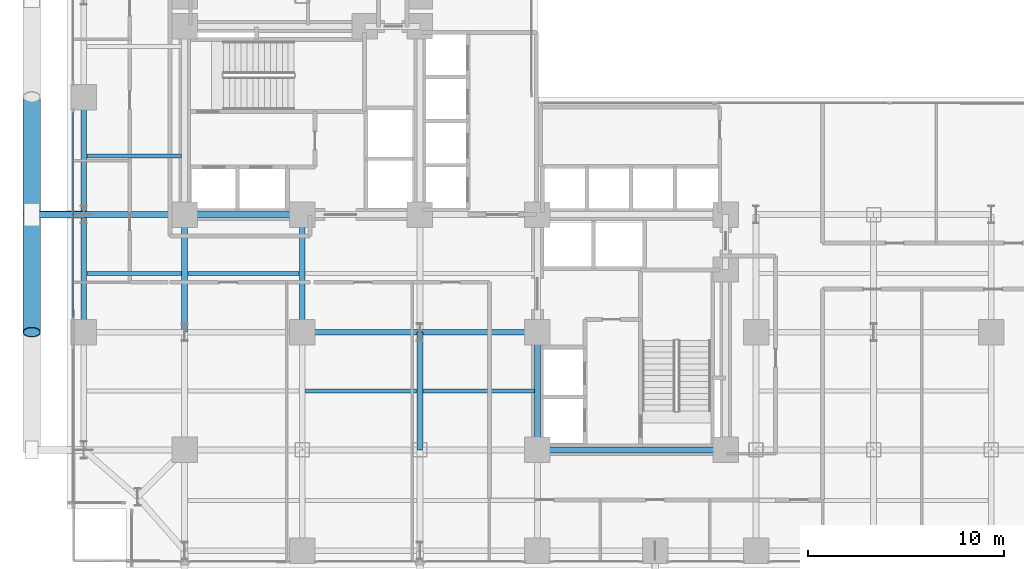
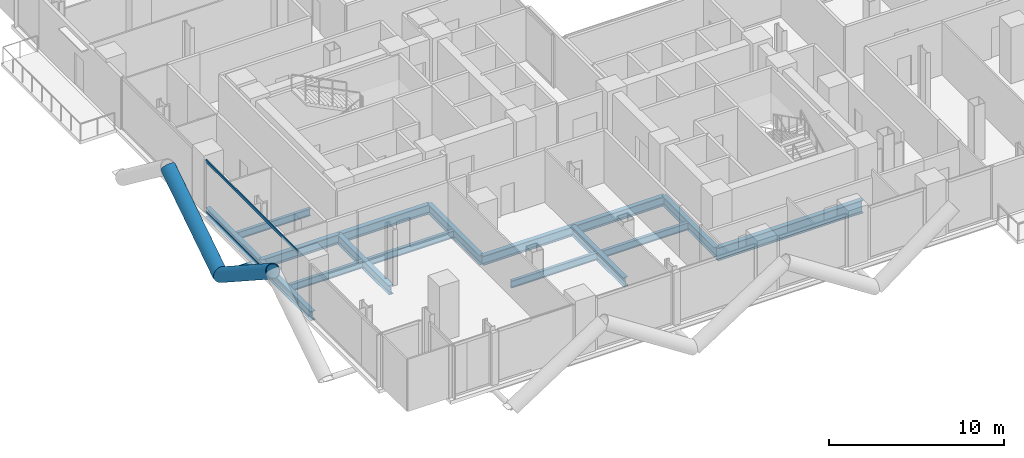
# One storey, part 4 of 27: 16 beams, 5 members, 1 element without a shape of its own.
"""IFC4 building model written with IfcOpenShell, lengths in metres."""

from ifc_helpers import new_model, si_unit, direction, frame, origin, origin_2d, place, context, subcontext, project, spatial, hollow_rectangle, hollow_circle, i_section, extrude, material, layer, layer_set, material_profile, profile_set, type_object, element, aggregate, save


model = new_model("IFC4")

# Units and contexts
model_context = context("Model", 3, precision=1e-05, world=origin(), true_north=direction((0.0, 1.0)))
body_context = subcontext(model_context, "Body", "Model", "MODEL_VIEW")
ifc_project = project(units=[si_unit("LENGTHUNIT", "METRE"), si_unit("AREAUNIT", "SQUARE_METRE"), si_unit("VOLUMEUNIT", "CUBIC_METRE"), si_unit("PLANEANGLEUNIT", "RADIAN"), si_unit("MASSUNIT", "GRAM", prefix="KILO"), si_unit("THERMODYNAMICTEMPERATUREUNIT", "KELVIN"), si_unit("POWERUNIT", "WATT")], contexts=[model_context])

# Site, building, storey
site_placement = place(None, origin())
site = spatial("IfcSite", under=ifc_project, at=site_placement, CompositionType="ELEMENT")
building_placement = place(site_placement, origin())
building = spatial("IfcBuilding", under=site, at=building_placement, Name="Svarakhadi Broadcast Tower", CompositionType="ELEMENT")
storey_placement = place(building_placement, frame((0.0, 0.0, 87.0)))
storey = spatial("IfcBuildingStorey", under=building, at=storey_placement, Name="L20", CompositionType="ELEMENT", Elevation=87.0)

# Beams
ifc_material_1 = material(Name="Steel S355J2 (IS 2062 E350C)", Category="steel")
ifc_material_profile_1 = material_profile(ifc_material_1, i_section(OverallWidth=0.199951171875, OverallDepth=0.5, WebThickness=0.01025390625, FlangeThickness=0.01611328125, FilletRadius=0.02099609375, at=origin_2d()), Name="NPB 500x200x91")
ifc_profile_set_1 = profile_set([ifc_material_profile_1], Name="Steel S355J2 (IS 2062 E350C)")
beam_type_1 = type_object("IfcBeamType", Name="Beam_NPB500", PredefinedType="BEAM", material=ifc_profile_set_1)
for number, where, z_axis, x_axis, name in (
    (1, (1.010009765625, 15.0, -0.5), (1.0, 0.0, 0.0), (0.0, 1.0, 0.0), "L20 Secondary Composite Beam SB002"),
    (2, (1.010009765625, 21.0, -0.5), (1.0, 0.0, 0.0), (0.0, 1.0, 0.0), "L20 Secondary Composite Beam SB003"),
):
    element("IfcBeam", number, at=place(storey_placement, frame(where, z_axis=z_axis, x_axis=x_axis)), inside=storey, type_object=beam_type_1, Name=name, PredefinedType="BEAM", context=body_context, shape_type="SweptSolid", body=[
        extrude(i_section(OverallWidth=0.199951171875, OverallDepth=0.5, WebThickness=0.01025390625, FlangeThickness=0.01611328125, FilletRadius=0.02099609375, at=origin_2d()), origin(), (0.0, 0.0, 1.0), 4.830078125),
    ])
for number, where, z_axis, x_axis, name in (
    (3, (6.159912109375, 15.0, -0.5), (1.0, 0.0, 0.0), (0.0, 1.0, 0.0), "L20 Secondary Composite Beam SB009"),
    (4, (12.159912109375, 9.0, -0.5), (1.0, 0.0, 0.0), (0.0, 1.0, 0.0), "L20 Secondary Composite Beam SB014"),
    (5, (18.159912109375, 9.0, -0.5), (1.0, 0.0, 0.0), (0.0, 1.0, 0.0), "L20 Secondary Composite Beam SB020"),
):
    element("IfcBeam", number, at=place(storey_placement, frame(where, z_axis=z_axis, x_axis=x_axis)), inside=storey, type_object=beam_type_1, Name=name, PredefinedType="BEAM", context=body_context, shape_type="SweptSolid", body=[
        extrude(i_section(OverallWidth=0.199951171875, OverallDepth=0.5, WebThickness=0.01025390625, FlangeThickness=0.01611328125, FilletRadius=0.02099609375, at=origin_2d()), origin(), (0.0, 0.0, 1.0), 5.68017578125),
    ])

# Curtain wall, members
ifc_material_2 = material(Name="Anodised Bronze Aluminium AA 6063-T6", Category="aluminium")
ifc_layer = layer(ifc_material_2, 0.219970703125)
ifc_layer_set = layer_set([ifc_layer], Name="Anodised Bronze Aluminium AA 6063-T6")
curtain_wall_type = type_object("IfcCurtainWallType", Name="CW_Sys_02", PredefinedType="NOTDEFINED", material=ifc_layer_set)
curtain_wall_placement = place(storey_placement, origin())
curtain_wall = element("IfcCurtainWall", 6, at=curtain_wall_placement, inside=storey, type_object=curtain_wall_type, Name="L20 West Curtain Wall 02 Bay 2", PredefinedType="NOTDEFINED")
ifc_material_profile_2 = material_profile(ifc_material_2, hollow_rectangle(XDim=0.074951171875, YDim=0.199951171875, WallThickness=0.0048828125, at=origin_2d()), Name="ALU TRANSOM 200x75x5")
ifc_profile_set_2 = profile_set([ifc_material_profile_2], Name="Anodised Bronze Aluminium AA 6063-T6")
member_type_1 = type_object("IfcMemberType", Name="CW_Sys_02_Trn", PredefinedType="USERDEFINED", material=ifc_profile_set_2)
member_1_placement = place(storey_placement, frame((0.300048828125, 12.7548828125, 0.03759765625), z_axis=(0.0, 1.0, 0.0), x_axis=(-1.0, 0.0, 0.0)))
member_1 = element("IfcMember", 7, at=member_1_placement, type_object=member_type_1, Name="CW-02 transom 1.1", ObjectType="TRANSOM", PredefinedType="USERDEFINED", context=body_context, shape_type="SweptSolid", body=[
    extrude(hollow_rectangle(XDim=0.074951171875, YDim=0.199951171875, WallThickness=0.0048828125, at=origin_2d()), origin(), (0.0, 0.0, 1.0), 10.490234375),
])
member_2_placement = place(storey_placement, frame((0.300048828125, 12.7548828125, 3.612548828125), z_axis=(0.0, 1.0, 0.0), x_axis=(-1.0, 0.0, 0.0)))
member_2 = element("IfcMember", 8, at=member_2_placement, type_object=member_type_1, Name="CW-02 transom 1.2", ObjectType="TRANSOM", PredefinedType="USERDEFINED", context=body_context, shape_type="SweptSolid", body=[
    extrude(hollow_rectangle(XDim=0.074951171875, YDim=0.199951171875, WallThickness=0.0048828125, at=origin_2d()), origin(), (0.0, 0.0, 1.0), 10.490234375),
])
aggregate(curtain_wall, [member_1, member_2])

# Members
ifc_material_3 = material(Name="Steel S460ML (IS 2062 E450BR)", Category="steel")
ifc_material_profile_3 = material_profile(ifc_material_3, hollow_circle(Radius=0.45703125, WallThickness=0.044921875, at=origin_2d()), Name="CHS 914x45")
ifc_profile_set_3 = profile_set([ifc_material_profile_3], Name="Steel S460ML (IS 2062 E450BR)")
member_type_2 = type_object("IfcMemberType", Name="Exo_Brace_CHS914", PredefinedType="BRACE", material=ifc_profile_set_3)
for number, where, z_axis, x_axis, name in (
    (9, (-1.800048828125, 18.0, -0.427734375), (0.0, -0.838449851971, 0.544978757136), (1.0, 0.0, 0.0), "L20 Exposed Bronze Exoskeleton Diagonal W07"),
    (10, (-1.800048828125, 18.0, -0.427734375), (0.0, 0.838449851971, 0.544978757136), (-1.0, 0.0, 0.0), "L20 Exposed Bronze Exoskeleton Diagonal W08"),
):
    element("IfcMember", number, at=place(storey_placement, frame(where, z_axis=z_axis, x_axis=x_axis)), inside=storey, type_object=member_type_2, Name=name, PredefinedType="BRACE", context=body_context, shape_type="SweptSolid", body=[
        extrude(hollow_circle(Radius=0.45703125, WallThickness=0.044921875, at=origin_2d()), origin(), (0.0, 0.0, 1.0), 7.156005859375),
    ])
ifc_material_profile_4 = material_profile(ifc_material_3, hollow_circle(Radius=0.177734375, WallThickness=0.02001953125, at=origin_2d()), Name="CHS 355.6x20")
ifc_profile_set_4 = profile_set([ifc_material_profile_4], Name="Steel S460ML (IS 2062 E450BR)")
member_type_3 = type_object("IfcMemberType", Name="Exo_Radial_Strut_Z1", PredefinedType="STRUT", material=ifc_profile_set_4)
member_3_placement = place(storey_placement, frame((-1.800048828125, 18.0, -0.427734375), z_axis=(1.0, 0.0, 0.0), x_axis=(0.0, 1.0, 0.0)))
element("IfcMember", 11, at=member_3_placement, inside=storey, type_object=member_type_3, Name="L20 Exoskeleton Radial Tie Strut W06", PredefinedType="STRUT", context=body_context, shape_type="SweptSolid", body=[
    extrude(hollow_circle(Radius=0.177734375, WallThickness=0.02001953125, at=origin_2d()), origin(), (0.0, 0.0, 1.0), 2.650146484375),
])

# Beams
ifc_material_profile_5 = material_profile(ifc_material_1, i_section(OverallWidth=0.300048828125, OverallDepth=0.64990234375, WebThickness=0.01611328125, FlangeThickness=0.031005859375, FilletRadius=0.027099609375, at=origin_2d()), Name="WPB 650x300x225")
ifc_profile_set_5 = profile_set([ifc_material_profile_5], Name="Steel S355J2 (IS 2062 E350C)")
beam_type_2 = type_object("IfcBeamType", Name="Girder_WPB650", PredefinedType="USERDEFINED", material=ifc_profile_set_5)
for number, where, z_axis, x_axis, name in (
    (12, (12.0, 12.0, -0.574951171875), (1.0, 0.0, 0.0), (0.0, 1.0, 0.0), "L20 Primary E-W Girder G021"),
    (13, (18.0, 12.0, -0.574951171875), (1.0, 0.0, 0.0), (0.0, 1.0, 0.0), "L20 Primary E-W Girder G022"),
):
    element("IfcBeam", number, at=place(storey_placement, frame(where, z_axis=z_axis, x_axis=x_axis)), inside=storey, type_object=beam_type_2, Name=name, ObjectType="GIRDER", PredefinedType="USERDEFINED", context=body_context, shape_type="SweptSolid", body=[
        extrude(i_section(OverallWidth=0.300048828125, OverallDepth=0.64990234375, WebThickness=0.01611328125, FlangeThickness=0.031005859375, FilletRadius=0.027099609375, at=origin_2d()), origin(), (0.0, 0.0, 1.0), 6.0),
    ])
beam_1_placement = place(storey_placement, frame((0.85009765625, 18.0, -0.574951171875), z_axis=(1.0, 0.0, 0.0), x_axis=(0.0, 1.0, 0.0)))
element("IfcBeam", 14, at=beam_1_placement, inside=storey, type_object=beam_type_2, Name="L20 Primary E-W Girder G025", ObjectType="GIRDER", PredefinedType="USERDEFINED", context=body_context, shape_type="SweptSolid", body=[
    extrude(i_section(OverallWidth=0.300048828125, OverallDepth=0.64990234375, WebThickness=0.01611328125, FlangeThickness=0.031005859375, FilletRadius=0.027099609375, at=origin_2d()), origin(), (0.0, 0.0, 1.0), 5.14990234375),
])
for number, where, z_axis, x_axis, name in (
    (15, (6.0, 18.0, -0.574951171875), (1.0, 0.0, 0.0), (0.0, 1.0, 0.0), "L20 Primary E-W Girder G026"),
    (16, (0.85009765625, 12.0, -0.574951171875), (0.0, 1.0, 0.0), (-1.0, 0.0, 0.0), "L20 Primary N-S Girder G046"),
    (17, (0.85009765625, 18.0, -0.574951171875), (0.0, 1.0, 0.0), (-1.0, 0.0, 0.0), "L20 Primary N-S Girder G047"),
    (18, (6.0, 12.0, -0.574951171875), (0.0, 1.0, 0.0), (-1.0, 0.0, 0.0), "L20 Primary N-S Girder G053"),
    (19, (12.0, 12.0, -0.574951171875), (0.0, 1.0, 0.0), (-1.0, 0.0, 0.0), "L20 Primary N-S Girder G060"),
    (20, (18.0, 6.0, -0.574951171875), (0.0, 1.0, 0.0), (-1.0, 0.0, 0.0), "L20 Primary N-S Girder G065"),
    (21, (24.0, 6.0, -0.574951171875), (0.0, 1.0, 0.0), (-1.0, 0.0, 0.0), "L20 Primary N-S Girder G072"),
):
    element("IfcBeam", number, at=place(storey_placement, frame(where, z_axis=z_axis, x_axis=x_axis)), inside=storey, type_object=beam_type_2, Name=name, ObjectType="GIRDER", PredefinedType="USERDEFINED", context=body_context, shape_type="SweptSolid", body=[
        extrude(i_section(OverallWidth=0.300048828125, OverallDepth=0.64990234375, WebThickness=0.01611328125, FlangeThickness=0.031005859375, FilletRadius=0.027099609375, at=origin_2d()), origin(), (0.0, 0.0, 1.0), 6.0),
    ])
ifc_material_profile_6 = material_profile(ifc_material_3, i_section(OverallWidth=0.300048828125, OverallDepth=0.89990234375, WebThickness=0.0185546875, FlangeThickness=0.034912109375, FilletRadius=0.030029296875, at=origin_2d()), Name="WPB 900x300x291")
ifc_profile_set_6 = profile_set([ifc_material_profile_6], Name="Steel S460ML (IS 2062 E450BR)")
beam_type_3 = type_object("IfcBeamType", Name="Girder_WPB900", PredefinedType="USERDEFINED", material=ifc_profile_set_6)
beam_2_placement = place(storey_placement, frame((24.0, 6.0, -0.699951171875), z_axis=(1.0, 0.0, 0.0), x_axis=(0.0, 1.0, 0.0)))
element("IfcBeam", 22, at=beam_2_placement, inside=storey, type_object=beam_type_3, Name="L20 Primary E-W Girder G015", ObjectType="GIRDER", PredefinedType="USERDEFINED", context=body_context, shape_type="SweptSolid", body=[
    extrude(i_section(OverallWidth=0.300048828125, OverallDepth=0.89990234375, WebThickness=0.0185546875, FlangeThickness=0.034912109375, FilletRadius=0.030029296875, at=origin_2d()), origin(), (0.0, 0.0, 1.0), 9.60009765625),
])

save(model, "model.ifc")
